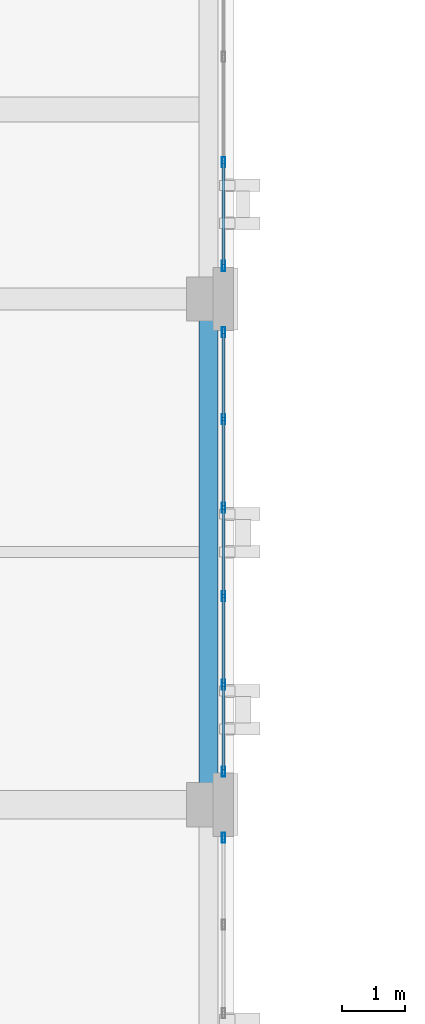
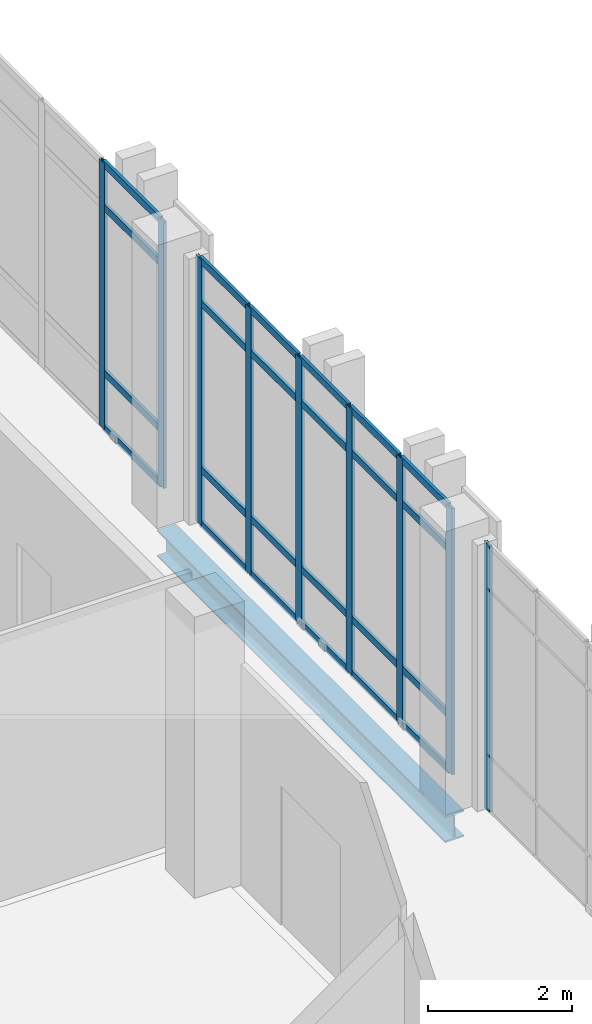
# One storey, part 72 of 189: 33 members, 1 beam, 3 elements without a shape of their own.
"""IFC4 building model written with IfcOpenShell, lengths in metres."""

from ifc_helpers import new_model, si_unit, direction, frame, origin, origin_2d, place, context, subcontext, project, spatial, hollow_rectangle, i_section, extrude, material, layer, layer_set, material_profile, profile_set, type_object, element, aggregate, save


model = new_model("IFC4")

# Units and contexts
model_context = context("Model", 3, precision=1e-05, world=origin(), true_north=direction((0.0, 1.0)))
body_context = subcontext(model_context, "Body", "Model", "MODEL_VIEW")
ifc_project = project(units=[si_unit("LENGTHUNIT", "METRE"), si_unit("AREAUNIT", "SQUARE_METRE"), si_unit("VOLUMEUNIT", "CUBIC_METRE"), si_unit("PLANEANGLEUNIT", "RADIAN"), si_unit("MASSUNIT", "GRAM", prefix="KILO")], contexts=[model_context])

# Site, building, storey
site_placement = place(None, origin())
site = spatial("IfcSite", under=ifc_project, at=site_placement, CompositionType="ELEMENT")
building_placement = place(site_placement, origin())
building = spatial("IfcBuilding", under=site, at=building_placement, Name="Qalavern Law Courts", CompositionType="ELEMENT")
storey_placement = place(building_placement, frame((0.0, 0.0, 5.39990234375)))
storey = spatial("IfcBuildingStorey", under=building, at=storey_placement, Name="L01", CompositionType="ELEMENT", Elevation=5.39990234375)

# Curtain wall, member
ifc_material_1 = material(Name="Anodised aluminium and insulated glazing", Category="aluminium")
ifc_layer = layer(ifc_material_1, 0.172119140625)
ifc_layer_set = layer_set([ifc_layer], Name="Anodised aluminium and insulated glazing")
curtain_wall_type = type_object("IfcCurtainWallType", Name="ENV-CW-COURT", PredefinedType="USERDEFINED", material=ifc_layer_set)
curtain_wall_1_placement = place(storey_placement, origin())
curtain_wall_1 = element("IfcCurtainWall", 1, at=curtain_wall_1_placement, inside=storey, type_object=curtain_wall_type, Name="V3 unitised curtain wall L01 east 3", ObjectType="UNITISED CURTAIN WALL", PredefinedType="USERDEFINED")
ifc_material_2 = material(Name="Anodised aluminium", Category="aluminium")
ifc_material_profile_1 = material_profile(ifc_material_2, hollow_rectangle(XDim=0.048095703125, YDim=0.159912109375, WallThickness=0.00390625, at=origin_2d()), Name="ALU MULLION 48x160")
ifc_profile_set_1 = profile_set([ifc_material_profile_1], Name="Anodised aluminium")
member_type_1 = type_object("IfcMemberType", Name="ENV-CWM-48x160", PredefinedType="MULLION", material=ifc_profile_set_1)
member_1_placement = place(storey_placement, frame((18.637451171875, 64.8759765625, 0.0), z_axis=(0.0, 0.0, 1.0), x_axis=(-1.0, 0.0, 0.0)))
member_1 = element("IfcMember", 2, at=member_1_placement, type_object=member_type_1, Name="CW-03 mullion 6", PredefinedType="MULLION", context=body_context, shape_type="SweptSolid", body=[
    extrude(hollow_rectangle(XDim=0.048095703125, YDim=0.159912109375, WallThickness=0.00390625, at=origin_2d()), origin(), (0.0, 0.0, 1.0), 4.510009765625),
])
aggregate(curtain_wall_1, [member_1])

# Curtain wall, members
curtain_wall_2_placement = place(storey_placement, origin())
curtain_wall_2 = element("IfcCurtainWall", 3, at=curtain_wall_2_placement, inside=storey, type_object=curtain_wall_type, Name="V3 unitised curtain wall L01 east 4", ObjectType="UNITISED CURTAIN WALL", PredefinedType="USERDEFINED")
member_2_placement = place(storey_placement, frame((18.637451171875, 65.924072265625, 0.0), z_axis=(0.0, 0.0, 1.0), x_axis=(-1.0, 0.0, 0.0)))
member_2 = element("IfcMember", 4, at=member_2_placement, type_object=member_type_1, Name="CW-03 mullion 1", PredefinedType="MULLION", context=body_context, shape_type="SweptSolid", body=[
    extrude(hollow_rectangle(XDim=0.048095703125, YDim=0.159912109375, WallThickness=0.00390625, at=origin_2d()), origin(), (0.0, 0.0, 1.0), 4.510009765625),
])
member_3_placement = place(storey_placement, frame((18.637451171875, 67.300048828125, 0.0), z_axis=(0.0, 0.0, 1.0), x_axis=(-1.0, 0.0, 0.0)))
member_3 = element("IfcMember", 5, at=member_3_placement, type_object=member_type_1, Name="CW-03 mullion 2", PredefinedType="MULLION", context=body_context, shape_type="SweptSolid", body=[
    extrude(hollow_rectangle(XDim=0.048095703125, YDim=0.159912109375, WallThickness=0.00390625, at=origin_2d()), origin(), (0.0, 0.0, 1.0), 4.510009765625),
])
member_4_placement = place(storey_placement, frame((18.637451171875, 68.699951171875, 0.0), z_axis=(0.0, 0.0, 1.0), x_axis=(-1.0, 0.0, 0.0)))
member_4 = element("IfcMember", 6, at=member_4_placement, type_object=member_type_1, Name="CW-03 mullion 3", PredefinedType="MULLION", context=body_context, shape_type="SweptSolid", body=[
    extrude(hollow_rectangle(XDim=0.048095703125, YDim=0.159912109375, WallThickness=0.00390625, at=origin_2d()), origin(), (0.0, 0.0, 1.0), 4.510009765625),
])
member_5_placement = place(storey_placement, frame((18.637451171875, 70.10009765625, 0.0), z_axis=(0.0, 0.0, 1.0), x_axis=(-1.0, 0.0, 0.0)))
member_5 = element("IfcMember", 7, at=member_5_placement, type_object=member_type_1, Name="CW-03 mullion 4", PredefinedType="MULLION", context=body_context, shape_type="SweptSolid", body=[
    extrude(hollow_rectangle(XDim=0.048095703125, YDim=0.159912109375, WallThickness=0.00390625, at=origin_2d()), origin(), (0.0, 0.0, 1.0), 4.510009765625),
])
member_6_placement = place(storey_placement, frame((18.637451171875, 71.5, 0.0), z_axis=(0.0, 0.0, 1.0), x_axis=(-1.0, 0.0, 0.0)))
member_6 = element("IfcMember", 8, at=member_6_placement, type_object=member_type_1, Name="CW-03 mullion 5", PredefinedType="MULLION", context=body_context, shape_type="SweptSolid", body=[
    extrude(hollow_rectangle(XDim=0.048095703125, YDim=0.159912109375, WallThickness=0.00390625, at=origin_2d()), origin(), (0.0, 0.0, 1.0), 4.510009765625),
])
member_7_placement = place(storey_placement, frame((18.637451171875, 72.8759765625, 0.0), z_axis=(0.0, 0.0, 1.0), x_axis=(-1.0, 0.0, 0.0)))
member_7 = element("IfcMember", 9, at=member_7_placement, type_object=member_type_1, Name="CW-03 mullion 6", PredefinedType="MULLION", context=body_context, shape_type="SweptSolid", body=[
    extrude(hollow_rectangle(XDim=0.048095703125, YDim=0.159912109375, WallThickness=0.00390625, at=origin_2d()), origin(), (0.0, 0.0, 1.0), 4.510009765625),
])

curtain_wall_3_placement = place(storey_placement, origin())
curtain_wall_3 = element("IfcCurtainWall", 10, at=curtain_wall_3_placement, inside=storey, type_object=curtain_wall_type, Name="V3 unitised curtain wall L01 east 5", ObjectType="UNITISED CURTAIN WALL", PredefinedType="USERDEFINED")
member_8_placement = place(storey_placement, frame((18.637451171875, 73.924072265625, 0.0), z_axis=(0.0, 0.0, 1.0), x_axis=(-1.0, 0.0, 0.0)))
member_8 = element("IfcMember", 11, at=member_8_placement, type_object=member_type_1, Name="CW-03 mullion 1", PredefinedType="MULLION", context=body_context, shape_type="SweptSolid", body=[
    extrude(hollow_rectangle(XDim=0.048095703125, YDim=0.159912109375, WallThickness=0.00390625, at=origin_2d()), origin(), (0.0, 0.0, 1.0), 4.510009765625),
])
member_9_placement = place(storey_placement, frame((18.637451171875, 75.566650390625, 0.0), z_axis=(0.0, 0.0, 1.0), x_axis=(-1.0, 0.0, 0.0)))
member_9 = element("IfcMember", 12, at=member_9_placement, type_object=member_type_1, Name="CW-03 mullion 2", PredefinedType="MULLION", context=body_context, shape_type="SweptSolid", body=[
    extrude(hollow_rectangle(XDim=0.048095703125, YDim=0.159912109375, WallThickness=0.00390625, at=origin_2d()), origin(), (0.0, 0.0, 1.0), 4.510009765625),
])

# Member
ifc_material_profile_2 = material_profile(ifc_material_2, hollow_rectangle(XDim=0.048095703125, YDim=0.1201171875, WallThickness=0.00390625, at=origin_2d()), Name="ALU TRANSOM 48x120")
ifc_profile_set_2 = profile_set([ifc_material_profile_2], Name="Anodised aluminium")
member_type_2 = type_object("IfcMemberType", Name="ENV-CWT-48x120", PredefinedType="USERDEFINED", material=ifc_profile_set_2)
member_10_placement = place(storey_placement, frame((18.637451171875, 65.947998046875, 0.024169921875), z_axis=(0.0, 1.0, 0.0), x_axis=(-1.0, 0.0, 0.0)))
member_10 = element("IfcMember", 13, at=member_10_placement, type_object=member_type_2, Name="CW-03 transom 1.1", ObjectType="TRANSOM", PredefinedType="USERDEFINED", context=body_context, shape_type="SweptSolid", body=[
    extrude(hollow_rectangle(XDim=0.048095703125, YDim=0.1201171875, WallThickness=0.00390625, at=origin_2d()), origin(), (0.0, 0.0, 1.0), 1.327880859375),
])

member_11_placement = place(storey_placement, frame((18.637451171875, 65.947998046875, 0.9501953125), z_axis=(0.0, 1.0, 0.0), x_axis=(-1.0, 0.0, 0.0)))
member_11 = element("IfcMember", 14, at=member_11_placement, type_object=member_type_2, Name="CW-03 transom 1.2", ObjectType="TRANSOM", PredefinedType="USERDEFINED", context=body_context, shape_type="SweptSolid", body=[
    extrude(hollow_rectangle(XDim=0.048095703125, YDim=0.1201171875, WallThickness=0.00390625, at=origin_2d()), origin(), (0.0, 0.0, 1.0), 1.327880859375),
])

member_12_placement = place(storey_placement, frame((18.637451171875, 65.947998046875, 3.760009765625), z_axis=(0.0, 1.0, 0.0), x_axis=(-1.0, 0.0, 0.0)))
member_12 = element("IfcMember", 15, at=member_12_placement, type_object=member_type_2, Name="CW-03 transom 1.3", ObjectType="TRANSOM", PredefinedType="USERDEFINED", context=body_context, shape_type="SweptSolid", body=[
    extrude(hollow_rectangle(XDim=0.048095703125, YDim=0.1201171875, WallThickness=0.00390625, at=origin_2d()), origin(), (0.0, 0.0, 1.0), 1.327880859375),
])

member_13_placement = place(storey_placement, frame((18.637451171875, 65.947998046875, 4.486083984375), z_axis=(0.0, 1.0, 0.0), x_axis=(-1.0, 0.0, 0.0)))
member_13 = element("IfcMember", 16, at=member_13_placement, type_object=member_type_2, Name="CW-03 transom 1.4", ObjectType="TRANSOM", PredefinedType="USERDEFINED", context=body_context, shape_type="SweptSolid", body=[
    extrude(hollow_rectangle(XDim=0.048095703125, YDim=0.1201171875, WallThickness=0.00390625, at=origin_2d()), origin(), (0.0, 0.0, 1.0), 1.327880859375),
])

member_14_placement = place(storey_placement, frame((18.637451171875, 67.323974609375, 0.024169921875), z_axis=(0.0, 1.0, 0.0), x_axis=(-1.0, 0.0, 0.0)))
member_14 = element("IfcMember", 17, at=member_14_placement, type_object=member_type_2, Name="CW-03 transom 2.1", ObjectType="TRANSOM", PredefinedType="USERDEFINED", context=body_context, shape_type="SweptSolid", body=[
    extrude(hollow_rectangle(XDim=0.048095703125, YDim=0.1201171875, WallThickness=0.00390625, at=origin_2d()), origin(), (0.0, 0.0, 1.0), 1.35205078125),
])

member_15_placement = place(storey_placement, frame((18.637451171875, 67.323974609375, 0.9501953125), z_axis=(0.0, 1.0, 0.0), x_axis=(-1.0, 0.0, 0.0)))
member_15 = element("IfcMember", 18, at=member_15_placement, type_object=member_type_2, Name="CW-03 transom 2.2", ObjectType="TRANSOM", PredefinedType="USERDEFINED", context=body_context, shape_type="SweptSolid", body=[
    extrude(hollow_rectangle(XDim=0.048095703125, YDim=0.1201171875, WallThickness=0.00390625, at=origin_2d()), origin(), (0.0, 0.0, 1.0), 1.35205078125),
])

member_16_placement = place(storey_placement, frame((18.637451171875, 67.323974609375, 3.760009765625), z_axis=(0.0, 1.0, 0.0), x_axis=(-1.0, 0.0, 0.0)))
member_16 = element("IfcMember", 19, at=member_16_placement, type_object=member_type_2, Name="CW-03 transom 2.3", ObjectType="TRANSOM", PredefinedType="USERDEFINED", context=body_context, shape_type="SweptSolid", body=[
    extrude(hollow_rectangle(XDim=0.048095703125, YDim=0.1201171875, WallThickness=0.00390625, at=origin_2d()), origin(), (0.0, 0.0, 1.0), 1.35205078125),
])

member_17_placement = place(storey_placement, frame((18.637451171875, 67.323974609375, 4.486083984375), z_axis=(0.0, 1.0, 0.0), x_axis=(-1.0, 0.0, 0.0)))
member_17 = element("IfcMember", 20, at=member_17_placement, type_object=member_type_2, Name="CW-03 transom 2.4", ObjectType="TRANSOM", PredefinedType="USERDEFINED", context=body_context, shape_type="SweptSolid", body=[
    extrude(hollow_rectangle(XDim=0.048095703125, YDim=0.1201171875, WallThickness=0.00390625, at=origin_2d()), origin(), (0.0, 0.0, 1.0), 1.35205078125),
])

member_18_placement = place(storey_placement, frame((18.637451171875, 68.72412109375, 0.024169921875), z_axis=(0.0, 1.0, 0.0), x_axis=(-1.0, 0.0, 0.0)))
member_18 = element("IfcMember", 21, at=member_18_placement, type_object=member_type_2, Name="CW-03 transom 3.1", ObjectType="TRANSOM", PredefinedType="USERDEFINED", context=body_context, shape_type="SweptSolid", body=[
    extrude(hollow_rectangle(XDim=0.048095703125, YDim=0.1201171875, WallThickness=0.00390625, at=origin_2d()), origin(), (0.0, 0.0, 1.0), 1.351806640625),
])

member_19_placement = place(storey_placement, frame((18.637451171875, 68.72412109375, 0.9501953125), z_axis=(0.0, 1.0, 0.0), x_axis=(-1.0, 0.0, 0.0)))
member_19 = element("IfcMember", 22, at=member_19_placement, type_object=member_type_2, Name="CW-03 transom 3.2", ObjectType="TRANSOM", PredefinedType="USERDEFINED", context=body_context, shape_type="SweptSolid", body=[
    extrude(hollow_rectangle(XDim=0.048095703125, YDim=0.1201171875, WallThickness=0.00390625, at=origin_2d()), origin(), (0.0, 0.0, 1.0), 1.351806640625),
])

member_20_placement = place(storey_placement, frame((18.637451171875, 68.72412109375, 3.760009765625), z_axis=(0.0, 1.0, 0.0), x_axis=(-1.0, 0.0, 0.0)))
member_20 = element("IfcMember", 23, at=member_20_placement, type_object=member_type_2, Name="CW-03 transom 3.3", ObjectType="TRANSOM", PredefinedType="USERDEFINED", context=body_context, shape_type="SweptSolid", body=[
    extrude(hollow_rectangle(XDim=0.048095703125, YDim=0.1201171875, WallThickness=0.00390625, at=origin_2d()), origin(), (0.0, 0.0, 1.0), 1.351806640625),
])

member_21_placement = place(storey_placement, frame((18.637451171875, 68.72412109375, 4.486083984375), z_axis=(0.0, 1.0, 0.0), x_axis=(-1.0, 0.0, 0.0)))
member_21 = element("IfcMember", 24, at=member_21_placement, type_object=member_type_2, Name="CW-03 transom 3.4", ObjectType="TRANSOM", PredefinedType="USERDEFINED", context=body_context, shape_type="SweptSolid", body=[
    extrude(hollow_rectangle(XDim=0.048095703125, YDim=0.1201171875, WallThickness=0.00390625, at=origin_2d()), origin(), (0.0, 0.0, 1.0), 1.351806640625),
])

member_22_placement = place(storey_placement, frame((18.637451171875, 70.1240234375, 0.024169921875), z_axis=(0.0, 1.0, 0.0), x_axis=(-1.0, 0.0, 0.0)))
member_22 = element("IfcMember", 25, at=member_22_placement, type_object=member_type_2, Name="CW-03 transom 4.1", ObjectType="TRANSOM", PredefinedType="USERDEFINED", context=body_context, shape_type="SweptSolid", body=[
    extrude(hollow_rectangle(XDim=0.048095703125, YDim=0.1201171875, WallThickness=0.00390625, at=origin_2d()), origin(), (0.0, 0.0, 1.0), 1.35205078125),
])

member_23_placement = place(storey_placement, frame((18.637451171875, 70.1240234375, 0.9501953125), z_axis=(0.0, 1.0, 0.0), x_axis=(-1.0, 0.0, 0.0)))
member_23 = element("IfcMember", 26, at=member_23_placement, type_object=member_type_2, Name="CW-03 transom 4.2", ObjectType="TRANSOM", PredefinedType="USERDEFINED", context=body_context, shape_type="SweptSolid", body=[
    extrude(hollow_rectangle(XDim=0.048095703125, YDim=0.1201171875, WallThickness=0.00390625, at=origin_2d()), origin(), (0.0, 0.0, 1.0), 1.35205078125),
])

member_24_placement = place(storey_placement, frame((18.637451171875, 70.1240234375, 3.760009765625), z_axis=(0.0, 1.0, 0.0), x_axis=(-1.0, 0.0, 0.0)))
member_24 = element("IfcMember", 27, at=member_24_placement, type_object=member_type_2, Name="CW-03 transom 4.3", ObjectType="TRANSOM", PredefinedType="USERDEFINED", context=body_context, shape_type="SweptSolid", body=[
    extrude(hollow_rectangle(XDim=0.048095703125, YDim=0.1201171875, WallThickness=0.00390625, at=origin_2d()), origin(), (0.0, 0.0, 1.0), 1.35205078125),
])

member_25_placement = place(storey_placement, frame((18.637451171875, 70.1240234375, 4.486083984375), z_axis=(0.0, 1.0, 0.0), x_axis=(-1.0, 0.0, 0.0)))
member_25 = element("IfcMember", 28, at=member_25_placement, type_object=member_type_2, Name="CW-03 transom 4.4", ObjectType="TRANSOM", PredefinedType="USERDEFINED", context=body_context, shape_type="SweptSolid", body=[
    extrude(hollow_rectangle(XDim=0.048095703125, YDim=0.1201171875, WallThickness=0.00390625, at=origin_2d()), origin(), (0.0, 0.0, 1.0), 1.35205078125),
])

member_26_placement = place(storey_placement, frame((18.637451171875, 71.52392578125, 0.024169921875), z_axis=(0.0, 1.0, 0.0), x_axis=(-1.0, 0.0, 0.0)))
member_26 = element("IfcMember", 29, at=member_26_placement, type_object=member_type_2, Name="CW-03 transom 5.1", ObjectType="TRANSOM", PredefinedType="USERDEFINED", context=body_context, shape_type="SweptSolid", body=[
    extrude(hollow_rectangle(XDim=0.048095703125, YDim=0.1201171875, WallThickness=0.00390625, at=origin_2d()), origin(), (0.0, 0.0, 1.0), 1.328125),
])

member_27_placement = place(storey_placement, frame((18.637451171875, 71.52392578125, 0.9501953125), z_axis=(0.0, 1.0, 0.0), x_axis=(-1.0, 0.0, 0.0)))
member_27 = element("IfcMember", 30, at=member_27_placement, type_object=member_type_2, Name="CW-03 transom 5.2", ObjectType="TRANSOM", PredefinedType="USERDEFINED", context=body_context, shape_type="SweptSolid", body=[
    extrude(hollow_rectangle(XDim=0.048095703125, YDim=0.1201171875, WallThickness=0.00390625, at=origin_2d()), origin(), (0.0, 0.0, 1.0), 1.328125),
])

member_28_placement = place(storey_placement, frame((18.637451171875, 71.52392578125, 3.760009765625), z_axis=(0.0, 1.0, 0.0), x_axis=(-1.0, 0.0, 0.0)))
member_28 = element("IfcMember", 31, at=member_28_placement, type_object=member_type_2, Name="CW-03 transom 5.3", ObjectType="TRANSOM", PredefinedType="USERDEFINED", context=body_context, shape_type="SweptSolid", body=[
    extrude(hollow_rectangle(XDim=0.048095703125, YDim=0.1201171875, WallThickness=0.00390625, at=origin_2d()), origin(), (0.0, 0.0, 1.0), 1.328125),
])

member_29_placement = place(storey_placement, frame((18.637451171875, 71.52392578125, 4.486083984375), z_axis=(0.0, 1.0, 0.0), x_axis=(-1.0, 0.0, 0.0)))
member_29 = element("IfcMember", 32, at=member_29_placement, type_object=member_type_2, Name="CW-03 transom 5.4", ObjectType="TRANSOM", PredefinedType="USERDEFINED", context=body_context, shape_type="SweptSolid", body=[
    extrude(hollow_rectangle(XDim=0.048095703125, YDim=0.1201171875, WallThickness=0.00390625, at=origin_2d()), origin(), (0.0, 0.0, 1.0), 1.328125),
])

aggregate(curtain_wall_2, [member_2, member_3, member_4, member_5, member_6, member_7, member_10, member_11, member_12, member_13, member_14, member_15, member_16, member_17, member_18, member_19, member_20, member_21, member_22, member_23, member_24, member_25, member_26, member_27, member_28, member_29])

member_30_placement = place(storey_placement, frame((18.637451171875, 73.947998046875, 0.024169921875), z_axis=(0.0, 1.0, 0.0), x_axis=(-1.0, 0.0, 0.0)))
member_30 = element("IfcMember", 33, at=member_30_placement, type_object=member_type_2, Name="CW-03 transom 1.1", ObjectType="TRANSOM", PredefinedType="USERDEFINED", context=body_context, shape_type="SweptSolid", body=[
    extrude(hollow_rectangle(XDim=0.048095703125, YDim=0.1201171875, WallThickness=0.00390625, at=origin_2d()), origin(), (0.0, 0.0, 1.0), 1.5947265625),
])

member_31_placement = place(storey_placement, frame((18.637451171875, 73.947998046875, 0.9501953125), z_axis=(0.0, 1.0, 0.0), x_axis=(-1.0, 0.0, 0.0)))
member_31 = element("IfcMember", 34, at=member_31_placement, type_object=member_type_2, Name="CW-03 transom 1.2", ObjectType="TRANSOM", PredefinedType="USERDEFINED", context=body_context, shape_type="SweptSolid", body=[
    extrude(hollow_rectangle(XDim=0.048095703125, YDim=0.1201171875, WallThickness=0.00390625, at=origin_2d()), origin(), (0.0, 0.0, 1.0), 1.5947265625),
])

member_32_placement = place(storey_placement, frame((18.637451171875, 73.947998046875, 3.760009765625), z_axis=(0.0, 1.0, 0.0), x_axis=(-1.0, 0.0, 0.0)))
member_32 = element("IfcMember", 35, at=member_32_placement, type_object=member_type_2, Name="CW-03 transom 1.3", ObjectType="TRANSOM", PredefinedType="USERDEFINED", context=body_context, shape_type="SweptSolid", body=[
    extrude(hollow_rectangle(XDim=0.048095703125, YDim=0.1201171875, WallThickness=0.00390625, at=origin_2d()), origin(), (0.0, 0.0, 1.0), 1.5947265625),
])

member_33_placement = place(storey_placement, frame((18.637451171875, 73.947998046875, 4.486083984375), z_axis=(0.0, 1.0, 0.0), x_axis=(-1.0, 0.0, 0.0)))
member_33 = element("IfcMember", 36, at=member_33_placement, type_object=member_type_2, Name="CW-03 transom 1.4", ObjectType="TRANSOM", PredefinedType="USERDEFINED", context=body_context, shape_type="SweptSolid", body=[
    extrude(hollow_rectangle(XDim=0.048095703125, YDim=0.1201171875, WallThickness=0.00390625, at=origin_2d()), origin(), (0.0, 0.0, 1.0), 1.5947265625),
])

aggregate(curtain_wall_3, [member_8, member_9, member_30, member_31, member_32, member_33])

# Beam
ifc_material_3 = material(Name="Steel S355", Category="steel")
ifc_material_profile_3 = material_profile(ifc_material_3, i_section(OverallWidth=0.300048828125, OverallDepth=0.449951171875, WebThickness=0.013916015625, FlangeThickness=0.02587890625, FilletRadius=0.027099609375, at=origin_2d()), Name="HEB 450")
ifc_profile_set_3 = profile_set([ifc_material_profile_3], Name="Steel S355")
beam_type = type_object("IfcBeamType", Name="STR-SP-HEB450", PredefinedType="SPANDREL", material=ifc_profile_set_3)
beam_placement = place(storey_placement, frame((18.39990234375, 65.39990234375, -0.52490234375), z_axis=(0.0, 1.0, 0.0), x_axis=(-1.0, 0.0, 0.0)))
element("IfcBeam", 37, at=beam_placement, inside=storey, type_object=beam_type, Name="V3 Y-beam 3-4 L01", PredefinedType="SPANDREL", context=body_context, shape_type="SweptSolid", body=[
    extrude(i_section(OverallWidth=0.300048828125, OverallDepth=0.449951171875, WebThickness=0.013916015625, FlangeThickness=0.02587890625, FilletRadius=0.027099609375, at=origin_2d()), origin(), (0.0, 0.0, 1.0), 8.0),
])

save(model, "model.ifc")
